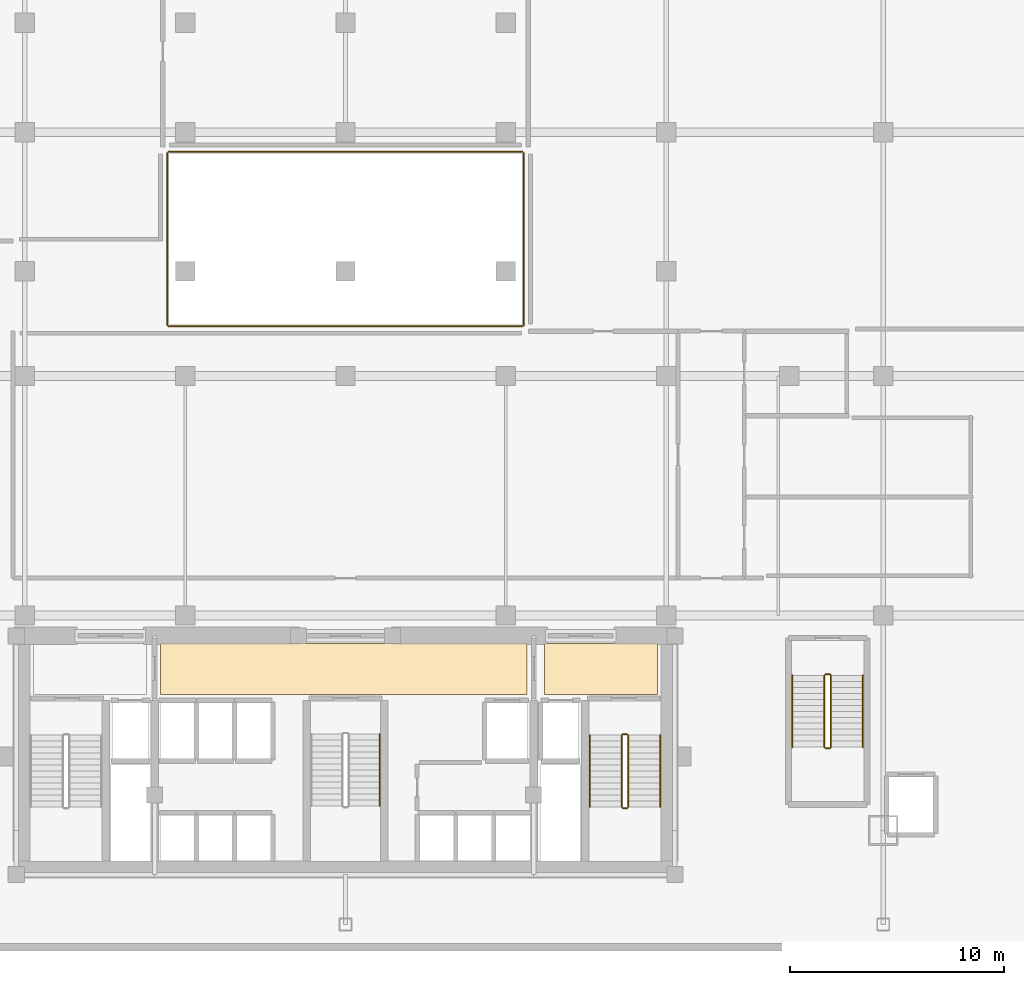
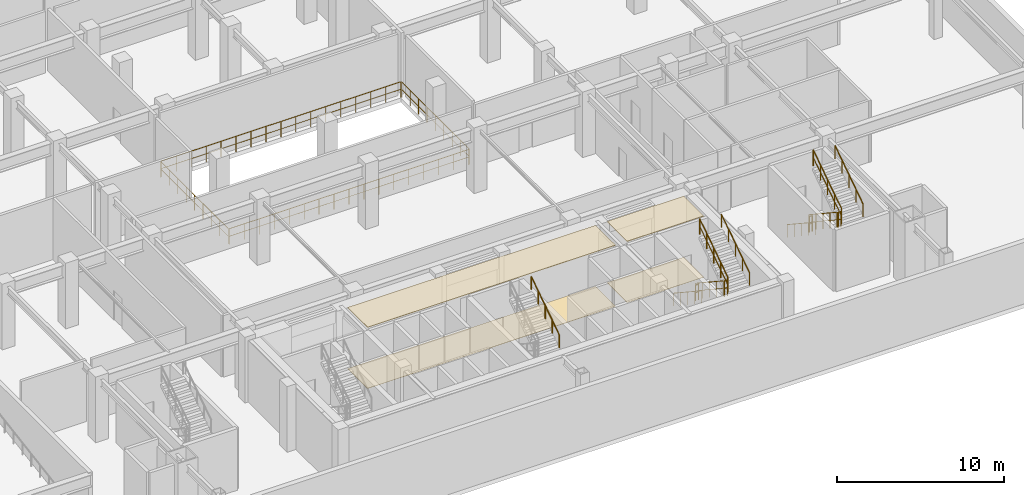
# One storey, part 15 of 15: 17 railings, 4 coverings.
"""IFC4 building model written with IfcOpenShell, lengths in metres."""

import ifcopenshell
import ifcopenshell.guid

model = None  # the IFC model being written
_history = None  # IfcOwnerHistory: only IFC2X3 demands one
_inside = {}  # id of a spatial element -> (the spatial element, [elements in it])
_under = {}  # id of a project, library or spatial element -> (it, [spatial elements below it])
_declared = {}  # id of a project -> (the project, [libraries it declares])
_typed = {}  # id of a type object -> (the type object, [elements of that type])
_made_of = {}  # id of a material, layer set ... -> (it, [elements and type objects made of it])


def new_model(schema):
    """Start an empty IFC model of exactly this schema.

    Asked for "IFC4X3", IfcOpenShell would pick the latest addendum, in which some entities
    have other attributes; the version numbers below select the first issue.
    IFC2X3 requires an IfcOwnerHistory on every rooted entity: one is made here for all.
    """
    global model, _history
    if schema == "IFC4X3":
        model = ifcopenshell.file(schema_version=(4, 3, 0, 0))
    else:
        model = ifcopenshell.file(schema=schema)
    _inside.clear()
    _under.clear()
    _declared.clear()
    _typed.clear()
    _made_of.clear()
    _history = None
    if model.schema == "IFC2X3":
        org = make("IfcOrganization", Name="unknown")
        user = make(
            "IfcPersonAndOrganization",
            ThePerson=make("IfcPerson", FamilyName="unknown"),
            TheOrganization=org,
        )
        app = make(
            "IfcApplication",
            ApplicationDeveloper=org,
            Version="unknown",
            ApplicationFullName="unknown",
            ApplicationIdentifier="unknown",
        )
        _history = make(
            "IfcOwnerHistory",
            OwningUser=user,
            OwningApplication=app,
            ChangeAction="ADDED",
            CreationDate=0,
        )
    return model


def make(cls, **values):
    """One entity of the class cls with the attributes given. An attribute that is None is left unset."""
    return model.create_entity(
        cls, **{name: value for name, value in values.items() if value is not None}
    )


def rooted(cls, **values):
    """An entity with a GlobalId (a new one), such as an element, a storey or a relation."""
    return make(cls, GlobalId=ifcopenshell.guid.new(), OwnerHistory=_history, **values)


def si_unit(unit_type, name, prefix=None):
    """IfcSIUnit, for example si_unit("LENGTHUNIT", "METRE", prefix="MILLI")."""
    return make("IfcSIUnit", UnitType=unit_type, Prefix=prefix, Name=name)


def assignment(units):
    """IfcUnitAssignment: the units of a project."""
    return None if units is None else make("IfcUnitAssignment", Units=units)


def point(xyz):
    """IfcCartesianPoint."""
    return None if xyz is None else make("IfcCartesianPoint", Coordinates=xyz)


def direction(xyz):
    """IfcDirection."""
    return None if xyz is None else make("IfcDirection", DirectionRatios=xyz)


def frame(location, z_axis=None, x_axis=None):
    """IfcAxis2Placement3D, a coordinate frame: its origin and axes. An axis left out is left unset."""
    return make(
        "IfcAxis2Placement3D",
        Location=point(location),
        Axis=direction(z_axis),
        RefDirection=direction(x_axis),
    )


def frame_2d(location, x_axis=None):
    """IfcAxis2Placement2D, a coordinate frame in the plane: its origin and x axis."""
    return make(
        "IfcAxis2Placement2D", Location=point(location), RefDirection=direction(x_axis)
    )


def origin():
    """The frame at (0, 0, 0) with its axes left unset."""
    return frame((0.0, 0.0, 0.0))


def origin_2d():
    """The frame at (0, 0) in the plane with its x axis left unset."""
    return frame_2d((0.0, 0.0))


def place(relative_to, where):
    """IfcLocalPlacement: puts the frame where relative to a parent placement (None: the world)."""
    return make(
        "IfcLocalPlacement", PlacementRelTo=relative_to, RelativePlacement=where
    )


def context(
    kind, dimensions, precision=None, world=None, true_north=None, identifier=None
):
    """IfcGeometricRepresentationContext, for example the 3D "Model" context."""
    return make(
        "IfcGeometricRepresentationContext",
        ContextIdentifier=identifier,
        ContextType=kind,
        CoordinateSpaceDimension=dimensions,
        Precision=precision,
        WorldCoordinateSystem=world,
        TrueNorth=true_north,
    )


def subcontext(parent, identifier, kind, view, scale=None):
    """IfcGeometricRepresentationSubContext, for example "Body" below "Model"."""
    return make(
        "IfcGeometricRepresentationSubContext",
        ContextIdentifier=identifier,
        ContextType=kind,
        ParentContext=parent,
        TargetScale=scale,
        TargetView=view,
    )


def project(units=None, contexts=None):
    """IfcProject with its units and contexts."""
    return rooted(
        "IfcProject",
        Name="project",
        RepresentationContexts=contexts,
        UnitsInContext=assignment(units),
    )


def spatial(cls, under=None, at=None, **own):
    """A site, building, storey or space (cls), placed at a placement, below another one or the project."""
    s = rooted(cls, ObjectPlacement=at, **own)
    if under is not None:
        _under.setdefault(under.id(), (under, []))[1].append(s)
    return s


def polyline(points):
    """IfcPolyline through the points."""
    return make("IfcPolyline", Points=[point(p) for p in points])


def profile(cls, at=None, kind="AREA", **sizes):
    """A parametric profile (cls). Its sizes go by their IFC names, for example OverallWidth=200.0."""
    return make(cls, ProfileType=kind, Position=at, **sizes)


def circle(**sizes):
    """IfcCircleProfileDef."""
    return profile("IfcCircleProfileDef", **sizes)


def outline(outer, holes=None, kind="AREA"):
    """IfcArbitraryClosedProfileDef: a profile drawn as a closed curve; with holes, ...WithVoids."""
    if holes is None:
        return make("IfcArbitraryClosedProfileDef", ProfileType=kind, OuterCurve=outer)
    return make(
        "IfcArbitraryProfileDefWithVoids",
        ProfileType=kind,
        OuterCurve=outer,
        InnerCurves=holes,
    )


def extrude(swept, where, along, depth):
    """IfcExtrudedAreaSolid: the profile swept, set in the frame where, extruded along a direction by depth."""
    return make(
        "IfcExtrudedAreaSolid",
        SweptArea=swept,
        Position=where,
        ExtrudedDirection=direction(along),
        Depth=depth,
    )


def shape(context_of_items, identifier, shape_type, items):
    """IfcShapeRepresentation: the items that make up one representation, for example the "Body"."""
    return make(
        "IfcShapeRepresentation",
        ContextOfItems=context_of_items,
        RepresentationIdentifier=identifier,
        RepresentationType=shape_type,
        Items=items,
    )


def material(Name=None, Category=None):
    """IfcMaterial."""
    return make("IfcMaterial", Name=Name, Category=Category)


def layer(
    of_material, thickness, ventilated=None, Name=None, Category=None, Priority=None
):
    """IfcMaterialLayer: one layer of a wall or slab, of a material (None: an air gap)."""
    return make(
        "IfcMaterialLayer",
        Material=of_material,
        LayerThickness=thickness,
        IsVentilated=ventilated,
        Name=Name,
        Category=Category,
        Priority=Priority,
    )


def layer_set(layers, Name=None):
    """IfcMaterialLayerSet."""
    return make("IfcMaterialLayerSet", MaterialLayers=layers, LayerSetName=Name)


def made_of(thing, what):
    """Note that an element or type object is made of a material, layer set ...; save() writes the relation."""
    if what is not None:
        _made_of.setdefault(what.id(), (what, []))[1].append(thing)
    return thing


def type_object(cls, material=None, **own):
    """A type object (cls), such as IfcWallType, which elements share."""
    return made_of(rooted(cls, **own), material)


def element(
    cls,
    number,
    at=None,
    inside=None,
    cuts=None,
    type_object=None,
    material=None,
    context=None,
    identifier="Body",
    shape_type=None,
    held_by="IfcProductDefinitionShape",
    body=None,
    shapes=None,
    **own,
):
    """One element of the class cls, such as IfcWall. Its Tag is "e" and its number.

    at: its placement. inside: the storey or other place that contains it. cuts: it is an
    opening in that element (IfcRelVoidsElement). A single representation is given by context,
    identifier, shape_type and body (its items); several are given by shapes. held_by: the class
    of the entity that holds the representations. save() writes the other relations.
    """
    e = rooted(cls, Tag="e%d" % number, ObjectPlacement=at, **own)
    if body is not None:
        shapes = [shape(context, identifier, shape_type, body)]
    if shapes is not None:
        e.Representation = make(held_by, Representations=shapes)
    if inside is not None:
        _inside.setdefault(inside.id(), (inside, []))[1].append(e)
    if cuts is not None:
        rooted(
            "IfcRelVoidsElement", RelatingBuildingElement=cuts, RelatedOpeningElement=e
        )
    if type_object is not None:
        _typed.setdefault(type_object.id(), (type_object, []))[1].append(e)
    return made_of(e, material)


def aggregate(whole, parts):
    """IfcRelAggregates: a whole, such as a stair, and the parts it consists of."""
    return rooted("IfcRelAggregates", RelatingObject=whole, RelatedObjects=parts)


def save(model, path):
    """Write the relations noted so far, then the file.

    IfcRelAggregates (storeys below a building ...), IfcRelContainedInSpatialStructure (elements
    in a storey), IfcRelDefinesByType, IfcRelAssociatesMaterial and IfcRelDeclares: one each for
    every whole, place, type object, material and project.
    """
    for whole, parts in _under.values():
        aggregate(whole, parts)
    for where, things in _inside.values():
        rooted(
            "IfcRelContainedInSpatialStructure",
            RelatedElements=things,
            RelatingStructure=where,
        )
    for kind, things in _typed.values():
        rooted("IfcRelDefinesByType", RelatedObjects=things, RelatingType=kind)
    for what, things in _made_of.values():
        rooted("IfcRelAssociatesMaterial", RelatedObjects=things, RelatingMaterial=what)
    for by, libraries in _declared.values():
        rooted("IfcRelDeclares", RelatingContext=by, RelatedDefinitions=libraries)
    model.write(path)


model = new_model("IFC4")

# Units and contexts
model_context = context("Model", 3, precision=1e-05, world=origin(), true_north=direction((0.0, 1.0)))
body_context = subcontext(model_context, "Body", "Model", "MODEL_VIEW")
ifc_project = project(units=[si_unit("LENGTHUNIT", "METRE"), si_unit("AREAUNIT", "SQUARE_METRE"), si_unit("VOLUMEUNIT", "CUBIC_METRE"), si_unit("PLANEANGLEUNIT", "RADIAN"), si_unit("MASSUNIT", "GRAM", prefix="KILO")], contexts=[model_context])

# Site, building, storey
site_placement = place(None, origin())
site = spatial("IfcSite", under=ifc_project, at=site_placement, CompositionType="ELEMENT")
building_placement = place(site_placement, origin())
building = spatial("IfcBuilding", under=site, at=building_placement, Name="Ventersveld Concourse Tower", CompositionType="ELEMENT")
storey_placement = place(building_placement, frame((0.0, 0.0, 5.39990234375)))
storey = spatial("IfcBuildingStorey", under=building, at=storey_placement, Name="L01", CompositionType="ELEMENT", Elevation=5.39990234375)

# Coverings
ifc_material_1 = material(Name="Mineral-fibre acoustic ceiling tile", Category="gypsum")
ifc_layer_1 = layer(ifc_material_1, 0.0400390625)
ifc_layer_set_1 = layer_set([ifc_layer_1], Name="Mineral-fibre acoustic ceiling tile")
covering_type_1 = type_object("IfcCoveringType", Name="COV-CEIL-ACOUSTIC", PredefinedType="CEILING", material=ifc_layer_set_1)
covering_1_placement = place(storey_placement, frame((0.0, 0.0, 4.460205078125)))
element("IfcCovering", 1, at=covering_1_placement, inside=storey, type_object=covering_type_1, Name="L01 North Lift Lobby Acoustic Ceiling", PredefinedType="CEILING", context=body_context, shape_type="SweptSolid", body=[
    extrude(outline(polyline([(20.10009765625, 8.699951171875), (37.25, 8.699951171875), (37.25, 11.10009765625), (20.10009765625, 11.10009765625), (20.10009765625, 8.699951171875)])), origin(), (0.0, 0.0, 1.0), 0.039794921875),
])
covering_2_placement = place(storey_placement, frame((0.0, 0.0, 4.460205078125)))
element("IfcCovering", 2, at=covering_2_placement, inside=storey, type_object=covering_type_1, Name="L01 East Firefighting Lobby Acoustic Ceiling", PredefinedType="CEILING", context=body_context, shape_type="SweptSolid", body=[
    extrude(outline(polyline([(38.050048828125, 8.699951171875), (43.35009765625, 8.699951171875), (43.35009765625, 11.10009765625), (38.050048828125, 11.10009765625), (38.050048828125, 8.699951171875)])), origin(), (0.0, 0.0, 1.0), 0.039794921875),
])
ifc_material_2 = material(Name="Polished Highveld granite terrazzo", Category="masonry")
ifc_layer_2 = layer(ifc_material_2, 0.02001953125)
ifc_layer_set_2 = layer_set([ifc_layer_2], Name="Polished Highveld granite terrazzo")
covering_type_2 = type_object("IfcCoveringType", Name="COV-FLOOR-TERRAZZO", PredefinedType="FLOORING", material=ifc_layer_set_2)
covering_3_placement = place(storey_placement, origin())
element("IfcCovering", 3, at=covering_3_placement, inside=storey, type_object=covering_type_2, Name="L01 North Lift Lobby Terrazzo Flooring", PredefinedType="FLOORING", context=body_context, shape_type="SweptSolid", body=[
    extrude(outline(polyline([(20.10009765625, 8.699951171875), (37.25, 8.699951171875), (37.25, 11.10009765625), (20.10009765625, 11.10009765625), (20.10009765625, 8.699951171875)])), origin(), (0.0, 0.0, 1.0), 0.02001953125),
])
covering_4_placement = place(storey_placement, origin())
element("IfcCovering", 4, at=covering_4_placement, inside=storey, type_object=covering_type_2, Name="L01 East Firefighting Lobby Terrazzo Flooring", PredefinedType="FLOORING", context=body_context, shape_type="SweptSolid", body=[
    extrude(outline(polyline([(38.050048828125, 8.699951171875), (43.35009765625, 8.699951171875), (43.35009765625, 11.10009765625), (38.050048828125, 11.10009765625), (38.050048828125, 8.699951171875)])), origin(), (0.0, 0.0, 1.0), 0.02001953125),
])

# Railings
ifc_material_3 = material(Name="Brushed stainless steel 316", Category="steel")
railing_type_1 = type_object("IfcRailingType", Name="GD-BAL-115", PredefinedType="GUARDRAIL", material=ifc_material_3)
railing_1_placement = place(storey_placement, frame((41.669921875, 6.800048828125, 0.184814453125)))
element("IfcRailing", 5, at=railing_1_placement, inside=storey, type_object=railing_type_1, Name="L01 ST-02 stair guard 1", PredefinedType="GUARDRAIL", context=body_context, shape_type="SweptSolid", body=[
    extrude(circle(Radius=0.02392578125, at=origin_2d()), frame((0.0, 0.0, 1.1259765625), z_axis=(0.0, -0.834876476806, 0.550437342915), x_axis=(1.0, 0.0, 0.0)), (0.0, 0.0, 1.0), 4.024658203125),
    extrude(circle(Radius=0.01611328125, at=origin_2d()), frame((0.0, 0.0, 0.574951171875), z_axis=(0.0, -0.834876476806, 0.550437342915), x_axis=(1.0, 0.0, 0.0)), (0.0, 0.0, 1.0), 4.024658203125),
    extrude(circle(Radius=0.02099609375, at=origin_2d()), origin(), (0.0, 0.0, 1.0), 1.101806640625),
    extrude(circle(Radius=0.02099609375, at=origin_2d()), frame((0.0, -0.840087890625, 0.5537109375)), (0.0, 0.0, 1.0), 1.101806640625),
    extrude(circle(Radius=0.02099609375, at=origin_2d()), frame((0.0, -1.68017578125, 1.107666015625)), (0.0, 0.0, 1.0), 1.101806640625),
    extrude(circle(Radius=0.02099609375, at=origin_2d()), frame((0.0, -2.52001953125, 1.66162109375)), (0.0, 0.0, 1.0), 1.101806640625),
    extrude(circle(Radius=0.02099609375, at=origin_2d()), frame((0.0, -3.360107421875, 2.21533203125)), (0.0, 0.0, 1.0), 1.101806640625),
])
railing_2_placement = place(storey_placement, frame((41.719970703125, 3.389892578125, 2.400146484375)))
element("IfcRailing", 6, at=railing_2_placement, inside=storey, type_object=railing_type_1, Name="L01 ST-02 stair guard 2", PredefinedType="GUARDRAIL", context=body_context, shape_type="SweptSolid", body=[
    extrude(circle(Radius=0.02392578125, at=origin_2d()), frame((0.0, 0.0, 1.1259765625), z_axis=(1.0, 0.0, 0.0), x_axis=(0.0, 1.0, 0.0)), (0.0, 0.0, 1.0), 0.199951171875),
    extrude(circle(Radius=0.01611328125, at=origin_2d()), frame((0.0, 0.0, 0.574951171875), z_axis=(1.0, 0.0, 0.0), x_axis=(0.0, 1.0, 0.0)), (0.0, 0.0, 1.0), 0.199951171875),
    extrude(circle(Radius=0.02099609375, at=origin_2d()), origin(), (0.0, 0.0, 1.0), 1.101806640625),
    extrude(circle(Radius=0.02099609375, at=origin_2d()), frame((0.199951171875, 0.0, 0.0)), (0.0, 0.0, 1.0), 1.101806640625),
])
railing_3_placement = place(storey_placement, frame((41.969970703125, 3.43994140625, 2.584716796875)))
element("IfcRailing", 7, at=railing_3_placement, inside=storey, type_object=railing_type_1, Name="L01 ST-02 stair guard 3", PredefinedType="GUARDRAIL", context=body_context, shape_type="SweptSolid", body=[
    extrude(circle(Radius=0.02392578125, at=origin_2d()), frame((0.0, 0.0, 1.1259765625), z_axis=(0.0, 0.834876476806, 0.550437342915), x_axis=(-1.0, 0.0, 0.0)), (0.0, 0.0, 1.0), 4.024658203125),
    extrude(circle(Radius=0.01611328125, at=origin_2d()), frame((0.0, 0.0, 0.574951171875), z_axis=(0.0, 0.834876476806, 0.550437342915), x_axis=(-1.0, 0.0, 0.0)), (0.0, 0.0, 1.0), 4.024658203125),
    extrude(circle(Radius=0.02099609375, at=origin_2d()), origin(), (0.0, 0.0, 1.0), 1.101806640625),
    extrude(circle(Radius=0.02099609375, at=origin_2d()), frame((0.0, 0.840087890625, 0.5537109375)), (0.0, 0.0, 1.0), 1.101806640625),
    extrude(circle(Radius=0.02099609375, at=origin_2d()), frame((0.0, 1.68017578125, 1.107666015625)), (0.0, 0.0, 1.0), 1.101806640625),
    extrude(circle(Radius=0.02099609375, at=origin_2d()), frame((0.0, 2.52001953125, 1.66162109375)), (0.0, 0.0, 1.0), 1.101806640625),
    extrude(circle(Radius=0.02099609375, at=origin_2d()), frame((0.0, 3.360107421875, 2.21533203125)), (0.0, 0.0, 1.0), 1.101806640625),
])
railing_4_placement = place(storey_placement, frame((41.719970703125, 6.85009765625, 0.0)))
element("IfcRailing", 8, at=railing_4_placement, inside=storey, type_object=railing_type_1, Name="L01 ST-02 stair guard 4", PredefinedType="GUARDRAIL", context=body_context, shape_type="SweptSolid", body=[
    extrude(circle(Radius=0.02392578125, at=origin_2d()), frame((0.0, 0.0, 1.1259765625), z_axis=(1.0, 0.0, 0.0), x_axis=(0.0, 1.0, 0.0)), (0.0, 0.0, 1.0), 0.199951171875),
    extrude(circle(Radius=0.01611328125, at=origin_2d()), frame((0.0, 0.0, 0.574951171875), z_axis=(1.0, 0.0, 0.0), x_axis=(0.0, 1.0, 0.0)), (0.0, 0.0, 1.0), 0.199951171875),
    extrude(circle(Radius=0.02099609375, at=origin_2d()), origin(), (0.0, 0.0, 1.0), 1.101806640625),
    extrude(circle(Radius=0.02099609375, at=origin_2d()), frame((0.199951171875, 0.0, 0.0)), (0.0, 0.0, 1.0), 1.101806640625),
])
railing_5_placement = place(storey_placement, frame((51.14990234375, 9.60009765625, 0.184814453125)))
element("IfcRailing", 9, at=railing_5_placement, inside=storey, type_object=railing_type_1, Name="L01 ST-05 stair guard 1", PredefinedType="GUARDRAIL", context=body_context, shape_type="SweptSolid", body=[
    extrude(circle(Radius=0.02392578125, at=origin_2d()), frame((0.0, 0.0, 1.1259765625), z_axis=(0.0, -0.834876476806, 0.550437342915), x_axis=(1.0, 0.0, 0.0)), (0.0, 0.0, 1.0), 4.024658203125),
    extrude(circle(Radius=0.01611328125, at=origin_2d()), frame((0.0, 0.0, 0.574951171875), z_axis=(0.0, -0.834876476806, 0.550437342915), x_axis=(1.0, 0.0, 0.0)), (0.0, 0.0, 1.0), 4.024658203125),
    extrude(circle(Radius=0.02099609375, at=origin_2d()), origin(), (0.0, 0.0, 1.0), 1.101806640625),
    extrude(circle(Radius=0.02099609375, at=origin_2d()), frame((0.0, -0.840087890625, 0.5537109375)), (0.0, 0.0, 1.0), 1.101806640625),
    extrude(circle(Radius=0.02099609375, at=origin_2d()), frame((0.0, -1.68017578125, 1.107666015625)), (0.0, 0.0, 1.0), 1.101806640625),
    extrude(circle(Radius=0.02099609375, at=origin_2d()), frame((0.0, -2.52001953125, 1.66162109375)), (0.0, 0.0, 1.0), 1.101806640625),
    extrude(circle(Radius=0.02099609375, at=origin_2d()), frame((0.0, -3.360107421875, 2.21533203125)), (0.0, 0.0, 1.0), 1.101806640625),
])
railing_6_placement = place(storey_placement, frame((51.199951171875, 6.18994140625, 2.400146484375)))
element("IfcRailing", 10, at=railing_6_placement, inside=storey, type_object=railing_type_1, Name="L01 ST-05 stair guard 2", PredefinedType="GUARDRAIL", context=body_context, shape_type="SweptSolid", body=[
    extrude(circle(Radius=0.02392578125, at=origin_2d()), frame((0.0, 0.0, 1.1259765625), z_axis=(1.0, 0.0, 0.0), x_axis=(0.0, 1.0, 0.0)), (0.0, 0.0, 1.0), 0.199951171875),
    extrude(circle(Radius=0.01611328125, at=origin_2d()), frame((0.0, 0.0, 0.574951171875), z_axis=(1.0, 0.0, 0.0), x_axis=(0.0, 1.0, 0.0)), (0.0, 0.0, 1.0), 0.199951171875),
    extrude(circle(Radius=0.02099609375, at=origin_2d()), origin(), (0.0, 0.0, 1.0), 1.101806640625),
    extrude(circle(Radius=0.02099609375, at=origin_2d()), frame((0.199951171875, 0.0, 0.0)), (0.0, 0.0, 1.0), 1.101806640625),
])
railing_7_placement = place(storey_placement, frame((51.449951171875, 6.239990234375, 2.584716796875)))
element("IfcRailing", 11, at=railing_7_placement, inside=storey, type_object=railing_type_1, Name="L01 ST-05 stair guard 3", PredefinedType="GUARDRAIL", context=body_context, shape_type="SweptSolid", body=[
    extrude(circle(Radius=0.02392578125, at=origin_2d()), frame((0.0, 0.0, 1.1259765625), z_axis=(0.0, 0.834876476806, 0.550437342915), x_axis=(-1.0, 0.0, 0.0)), (0.0, 0.0, 1.0), 4.024658203125),
    extrude(circle(Radius=0.01611328125, at=origin_2d()), frame((0.0, 0.0, 0.574951171875), z_axis=(0.0, 0.834876476806, 0.550437342915), x_axis=(-1.0, 0.0, 0.0)), (0.0, 0.0, 1.0), 4.024658203125),
    extrude(circle(Radius=0.02099609375, at=origin_2d()), origin(), (0.0, 0.0, 1.0), 1.101806640625),
    extrude(circle(Radius=0.02099609375, at=origin_2d()), frame((0.0, 0.840087890625, 0.5537109375)), (0.0, 0.0, 1.0), 1.101806640625),
    extrude(circle(Radius=0.02099609375, at=origin_2d()), frame((0.0, 1.68017578125, 1.107666015625)), (0.0, 0.0, 1.0), 1.101806640625),
    extrude(circle(Radius=0.02099609375, at=origin_2d()), frame((0.0, 2.52001953125, 1.66162109375)), (0.0, 0.0, 1.0), 1.101806640625),
    extrude(circle(Radius=0.02099609375, at=origin_2d()), frame((0.0, 3.360107421875, 2.21533203125)), (0.0, 0.0, 1.0), 1.101806640625),
])
railing_8_placement = place(storey_placement, frame((51.199951171875, 9.64990234375, 0.0)))
element("IfcRailing", 12, at=railing_8_placement, inside=storey, type_object=railing_type_1, Name="L01 ST-05 stair guard 4", PredefinedType="GUARDRAIL", context=body_context, shape_type="SweptSolid", body=[
    extrude(circle(Radius=0.02392578125, at=origin_2d()), frame((0.0, 0.0, 1.1259765625), z_axis=(1.0, 0.0, 0.0), x_axis=(0.0, 1.0, 0.0)), (0.0, 0.0, 1.0), 0.199951171875),
    extrude(circle(Radius=0.01611328125, at=origin_2d()), frame((0.0, 0.0, 0.574951171875), z_axis=(1.0, 0.0, 0.0), x_axis=(0.0, 1.0, 0.0)), (0.0, 0.0, 1.0), 0.199951171875),
    extrude(circle(Radius=0.02099609375, at=origin_2d()), origin(), (0.0, 0.0, 1.0), 1.101806640625),
    extrude(circle(Radius=0.02099609375, at=origin_2d()), frame((0.199951171875, 0.0, 0.0)), (0.0, 0.0, 1.0), 1.101806640625),
])
railing_9_placement = place(storey_placement, frame((20.469970703125, 25.919921875, 0.0)))
element("IfcRailing", 13, at=railing_9_placement, inside=storey, type_object=railing_type_1, Name="L01 Podium Concourse Atrium Guardrail S", PredefinedType="GUARDRAIL", context=body_context, shape_type="SweptSolid", body=[
    extrude(circle(Radius=0.02392578125, at=origin_2d()), frame((0.0, 0.0, 1.1259765625), z_axis=(1.0, 0.0, 0.0), x_axis=(0.0, 1.0, 0.0)), (0.0, 0.0, 1.0), 16.56005859375),
    extrude(circle(Radius=0.01611328125, at=origin_2d()), frame((0.0, 0.0, 0.574951171875), z_axis=(1.0, 0.0, 0.0), x_axis=(0.0, 1.0, 0.0)), (0.0, 0.0, 1.0), 16.56005859375),
    extrude(circle(Radius=0.02099609375, at=origin_2d()), origin(), (0.0, 0.0, 1.0), 1.101806640625),
    extrude(circle(Radius=0.02099609375, at=origin_2d()), frame((1.034912109375, 0.0, 0.0)), (0.0, 0.0, 1.0), 1.101806640625),
    extrude(circle(Radius=0.02099609375, at=origin_2d()), frame((2.070068359375, 0.0, 0.0)), (0.0, 0.0, 1.0), 1.101806640625),
    extrude(circle(Radius=0.02099609375, at=origin_2d()), frame((3.10498046875, 0.0, 0.0)), (0.0, 0.0, 1.0), 1.101806640625),
    extrude(circle(Radius=0.02099609375, at=origin_2d()), frame((4.14013671875, 0.0, 0.0)), (0.0, 0.0, 1.0), 1.101806640625),
    extrude(circle(Radius=0.02099609375, at=origin_2d()), frame((5.175048828125, 0.0, 0.0)), (0.0, 0.0, 1.0), 1.101806640625),
    extrude(circle(Radius=0.02099609375, at=origin_2d()), frame((6.2099609375, 0.0, 0.0)), (0.0, 0.0, 1.0), 1.101806640625),
    extrude(circle(Radius=0.02099609375, at=origin_2d()), frame((7.2451171875, 0.0, 0.0)), (0.0, 0.0, 1.0), 1.101806640625),
    extrude(circle(Radius=0.02099609375, at=origin_2d()), frame((8.280029296875, 0.0, 0.0)), (0.0, 0.0, 1.0), 1.101806640625),
    extrude(circle(Radius=0.02099609375, at=origin_2d()), frame((9.31494140625, 0.0, 0.0)), (0.0, 0.0, 1.0), 1.101806640625),
    extrude(circle(Radius=0.02099609375, at=origin_2d()), frame((10.35009765625, 0.0, 0.0)), (0.0, 0.0, 1.0), 1.101806640625),
    extrude(circle(Radius=0.02099609375, at=origin_2d()), frame((11.385009765625, 0.0, 0.0)), (0.0, 0.0, 1.0), 1.101806640625),
    extrude(circle(Radius=0.02099609375, at=origin_2d()), frame((12.419921875, 0.0, 0.0)), (0.0, 0.0, 1.0), 1.101806640625),
    extrude(circle(Radius=0.02099609375, at=origin_2d()), frame((13.455078125, 0.0, 0.0)), (0.0, 0.0, 1.0), 1.101806640625),
    extrude(circle(Radius=0.02099609375, at=origin_2d()), frame((14.489990234375, 0.0, 0.0)), (0.0, 0.0, 1.0), 1.101806640625),
    extrude(circle(Radius=0.02099609375, at=origin_2d()), frame((15.525146484375, 0.0, 0.0)), (0.0, 0.0, 1.0), 1.101806640625),
    extrude(circle(Radius=0.02099609375, at=origin_2d()), frame((16.56005859375, 0.0, 0.0)), (0.0, 0.0, 1.0), 1.101806640625),
])
railing_10_placement = place(storey_placement, frame((20.469970703125, 34.080078125, 0.0)))
element("IfcRailing", 14, at=railing_10_placement, inside=storey, type_object=railing_type_1, Name="L01 Podium Concourse Atrium Guardrail N", PredefinedType="GUARDRAIL", context=body_context, shape_type="SweptSolid", body=[
    extrude(circle(Radius=0.02392578125, at=origin_2d()), frame((0.0, 0.0, 1.1259765625), z_axis=(1.0, 0.0, 0.0), x_axis=(0.0, 1.0, 0.0)), (0.0, 0.0, 1.0), 16.56005859375),
    extrude(circle(Radius=0.01611328125, at=origin_2d()), frame((0.0, 0.0, 0.574951171875), z_axis=(1.0, 0.0, 0.0), x_axis=(0.0, 1.0, 0.0)), (0.0, 0.0, 1.0), 16.56005859375),
    extrude(circle(Radius=0.02099609375, at=origin_2d()), origin(), (0.0, 0.0, 1.0), 1.101806640625),
    extrude(circle(Radius=0.02099609375, at=origin_2d()), frame((1.034912109375, 0.0, 0.0)), (0.0, 0.0, 1.0), 1.101806640625),
    extrude(circle(Radius=0.02099609375, at=origin_2d()), frame((2.070068359375, 0.0, 0.0)), (0.0, 0.0, 1.0), 1.101806640625),
    extrude(circle(Radius=0.02099609375, at=origin_2d()), frame((3.10498046875, 0.0, 0.0)), (0.0, 0.0, 1.0), 1.101806640625),
    extrude(circle(Radius=0.02099609375, at=origin_2d()), frame((4.14013671875, 0.0, 0.0)), (0.0, 0.0, 1.0), 1.101806640625),
    extrude(circle(Radius=0.02099609375, at=origin_2d()), frame((5.175048828125, 0.0, 0.0)), (0.0, 0.0, 1.0), 1.101806640625),
    extrude(circle(Radius=0.02099609375, at=origin_2d()), frame((6.2099609375, 0.0, 0.0)), (0.0, 0.0, 1.0), 1.101806640625),
    extrude(circle(Radius=0.02099609375, at=origin_2d()), frame((7.2451171875, 0.0, 0.0)), (0.0, 0.0, 1.0), 1.101806640625),
    extrude(circle(Radius=0.02099609375, at=origin_2d()), frame((8.280029296875, 0.0, 0.0)), (0.0, 0.0, 1.0), 1.101806640625),
    extrude(circle(Radius=0.02099609375, at=origin_2d()), frame((9.31494140625, 0.0, 0.0)), (0.0, 0.0, 1.0), 1.101806640625),
    extrude(circle(Radius=0.02099609375, at=origin_2d()), frame((10.35009765625, 0.0, 0.0)), (0.0, 0.0, 1.0), 1.101806640625),
    extrude(circle(Radius=0.02099609375, at=origin_2d()), frame((11.385009765625, 0.0, 0.0)), (0.0, 0.0, 1.0), 1.101806640625),
    extrude(circle(Radius=0.02099609375, at=origin_2d()), frame((12.419921875, 0.0, 0.0)), (0.0, 0.0, 1.0), 1.101806640625),
    extrude(circle(Radius=0.02099609375, at=origin_2d()), frame((13.455078125, 0.0, 0.0)), (0.0, 0.0, 1.0), 1.101806640625),
    extrude(circle(Radius=0.02099609375, at=origin_2d()), frame((14.489990234375, 0.0, 0.0)), (0.0, 0.0, 1.0), 1.101806640625),
    extrude(circle(Radius=0.02099609375, at=origin_2d()), frame((15.525146484375, 0.0, 0.0)), (0.0, 0.0, 1.0), 1.101806640625),
    extrude(circle(Radius=0.02099609375, at=origin_2d()), frame((16.56005859375, 0.0, 0.0)), (0.0, 0.0, 1.0), 1.101806640625),
])
for number, where, name in (
    (15, (20.419921875, 25.969970703125, 0.0), "L01 Podium Concourse Atrium Guardrail W"),
    (16, (37.080078125, 25.969970703125, 0.0), "L01 Podium Concourse Atrium Guardrail E"),
):
    element("IfcRailing", number, at=place(storey_placement, frame(where)), inside=storey, type_object=railing_type_1, Name=name, PredefinedType="GUARDRAIL", context=body_context, shape_type="SweptSolid", body=[
        extrude(circle(Radius=0.02392578125, at=origin_2d()), frame((0.0, 0.0, 1.1259765625), z_axis=(0.0, 1.0, 0.0), x_axis=(-1.0, 0.0, 0.0)), (0.0, 0.0, 1.0), 8.06005859375),
        extrude(circle(Radius=0.01611328125, at=origin_2d()), frame((0.0, 0.0, 0.574951171875), z_axis=(0.0, 1.0, 0.0), x_axis=(-1.0, 0.0, 0.0)), (0.0, 0.0, 1.0), 8.06005859375),
        extrude(circle(Radius=0.02099609375, at=origin_2d()), origin(), (0.0, 0.0, 1.0), 1.101806640625),
        extrude(circle(Radius=0.02099609375, at=origin_2d()), frame((0.0, 1.007568359375, 0.0)), (0.0, 0.0, 1.0), 1.101806640625),
        extrude(circle(Radius=0.02099609375, at=origin_2d()), frame((0.0, 2.01513671875, 0.0)), (0.0, 0.0, 1.0), 1.101806640625),
        extrude(circle(Radius=0.02099609375, at=origin_2d()), frame((0.0, 3.0224609375, 0.0)), (0.0, 0.0, 1.0), 1.101806640625),
        extrude(circle(Radius=0.02099609375, at=origin_2d()), frame((0.0, 4.030029296875, 0.0)), (0.0, 0.0, 1.0), 1.101806640625),
        extrude(circle(Radius=0.02099609375, at=origin_2d()), frame((0.0, 5.03759765625, 0.0)), (0.0, 0.0, 1.0), 1.101806640625),
        extrude(circle(Radius=0.02099609375, at=origin_2d()), frame((0.0, 6.044921875, 0.0)), (0.0, 0.0, 1.0), 1.101806640625),
        extrude(circle(Radius=0.02099609375, at=origin_2d()), frame((0.0, 7.052490234375, 0.0)), (0.0, 0.0, 1.0), 1.101806640625),
        extrude(circle(Radius=0.02099609375, at=origin_2d()), frame((0.0, 8.06005859375, 0.0)), (0.0, 0.0, 1.0), 1.101806640625),
    ])
railing_type_2 = type_object("IfcRailingType", Name="HR-RMP-095", PredefinedType="HANDRAIL", material=ifc_material_3)
railing_11_placement = place(storey_placement, frame((40.169921875, 6.800048828125, 0.184814453125)))
element("IfcRailing", 17, at=railing_11_placement, inside=storey, type_object=railing_type_2, Name="L01 ST-02 stair handrail 1", PredefinedType="HANDRAIL", context=body_context, shape_type="SweptSolid", body=[
    extrude(circle(Radius=0.02392578125, at=origin_2d()), frame((0.0, 0.0, 0.92578125), z_axis=(0.0, -0.834876476806, 0.550437342915), x_axis=(1.0, 0.0, 0.0)), (0.0, 0.0, 1.0), 4.024658203125),
    extrude(circle(Radius=0.02099609375, at=origin_2d()), origin(), (0.0, 0.0, 1.0), 0.90185546875),
    extrude(circle(Radius=0.02099609375, at=origin_2d()), frame((0.0, -0.840087890625, 0.5537109375)), (0.0, 0.0, 1.0), 0.90185546875),
    extrude(circle(Radius=0.02099609375, at=origin_2d()), frame((0.0, -1.68017578125, 1.107666015625)), (0.0, 0.0, 1.0), 0.90185546875),
    extrude(circle(Radius=0.02099609375, at=origin_2d()), frame((0.0, -2.52001953125, 1.66162109375)), (0.0, 0.0, 1.0), 0.90185546875),
    extrude(circle(Radius=0.02099609375, at=origin_2d()), frame((0.0, -3.360107421875, 2.21533203125)), (0.0, 0.0, 1.0), 0.90185546875),
])
for number, where, name in (
    (18, (43.469970703125, 3.43994140625, 2.584716796875), "L01 ST-02 stair handrail 2"),
    (19, (30.35009765625, 3.489990234375, 2.584716796875), "L01 ST-03 stair handrail 2"),
):
    element("IfcRailing", number, at=place(storey_placement, frame(where)), inside=storey, type_object=railing_type_2, Name=name, PredefinedType="HANDRAIL", context=body_context, shape_type="SweptSolid", body=[
        extrude(circle(Radius=0.02392578125, at=origin_2d()), frame((0.0, 0.0, 0.92578125), z_axis=(0.0, 0.834876476806, 0.550437342915), x_axis=(-1.0, 0.0, 0.0)), (0.0, 0.0, 1.0), 4.024658203125),
        extrude(circle(Radius=0.02099609375, at=origin_2d()), origin(), (0.0, 0.0, 1.0), 0.90185546875),
        extrude(circle(Radius=0.02099609375, at=origin_2d()), frame((0.0, 0.840087890625, 0.5537109375)), (0.0, 0.0, 1.0), 0.90185546875),
        extrude(circle(Radius=0.02099609375, at=origin_2d()), frame((0.0, 1.68017578125, 1.107666015625)), (0.0, 0.0, 1.0), 0.90185546875),
        extrude(circle(Radius=0.02099609375, at=origin_2d()), frame((0.0, 2.52001953125, 1.66162109375)), (0.0, 0.0, 1.0), 0.90185546875),
        extrude(circle(Radius=0.02099609375, at=origin_2d()), frame((0.0, 3.360107421875, 2.21533203125)), (0.0, 0.0, 1.0), 0.90185546875),
    ])
railing_12_placement = place(storey_placement, frame((49.64990234375, 9.60009765625, 0.184814453125)))
element("IfcRailing", 20, at=railing_12_placement, inside=storey, type_object=railing_type_2, Name="L01 ST-05 stair handrail 1", PredefinedType="HANDRAIL", context=body_context, shape_type="SweptSolid", body=[
    extrude(circle(Radius=0.02392578125, at=origin_2d()), frame((0.0, 0.0, 0.92578125), z_axis=(0.0, -0.834876476806, 0.550437342915), x_axis=(1.0, 0.0, 0.0)), (0.0, 0.0, 1.0), 4.024658203125),
    extrude(circle(Radius=0.02099609375, at=origin_2d()), origin(), (0.0, 0.0, 1.0), 0.90185546875),
    extrude(circle(Radius=0.02099609375, at=origin_2d()), frame((0.0, -0.840087890625, 0.5537109375)), (0.0, 0.0, 1.0), 0.90185546875),
    extrude(circle(Radius=0.02099609375, at=origin_2d()), frame((0.0, -1.68017578125, 1.107666015625)), (0.0, 0.0, 1.0), 0.90185546875),
    extrude(circle(Radius=0.02099609375, at=origin_2d()), frame((0.0, -2.52001953125, 1.66162109375)), (0.0, 0.0, 1.0), 0.90185546875),
    extrude(circle(Radius=0.02099609375, at=origin_2d()), frame((0.0, -3.360107421875, 2.21533203125)), (0.0, 0.0, 1.0), 0.90185546875),
])
railing_13_placement = place(storey_placement, frame((52.949951171875, 6.239990234375, 2.584716796875)))
element("IfcRailing", 21, at=railing_13_placement, inside=storey, type_object=railing_type_2, Name="L01 ST-05 stair handrail 2", PredefinedType="HANDRAIL", context=body_context, shape_type="SweptSolid", body=[
    extrude(circle(Radius=0.02392578125, at=origin_2d()), frame((0.0, 0.0, 0.92578125), z_axis=(0.0, 0.834876476806, 0.550437342915), x_axis=(-1.0, 0.0, 0.0)), (0.0, 0.0, 1.0), 4.024658203125),
    extrude(circle(Radius=0.02099609375, at=origin_2d()), origin(), (0.0, 0.0, 1.0), 0.90185546875),
    extrude(circle(Radius=0.02099609375, at=origin_2d()), frame((0.0, 0.840087890625, 0.5537109375)), (0.0, 0.0, 1.0), 0.90185546875),
    extrude(circle(Radius=0.02099609375, at=origin_2d()), frame((0.0, 1.68017578125, 1.107666015625)), (0.0, 0.0, 1.0), 0.90185546875),
    extrude(circle(Radius=0.02099609375, at=origin_2d()), frame((0.0, 2.52001953125, 1.66162109375)), (0.0, 0.0, 1.0), 0.90185546875),
    extrude(circle(Radius=0.02099609375, at=origin_2d()), frame((0.0, 3.360107421875, 2.21533203125)), (0.0, 0.0, 1.0), 0.90185546875),
])

save(model, "model.ifc")
